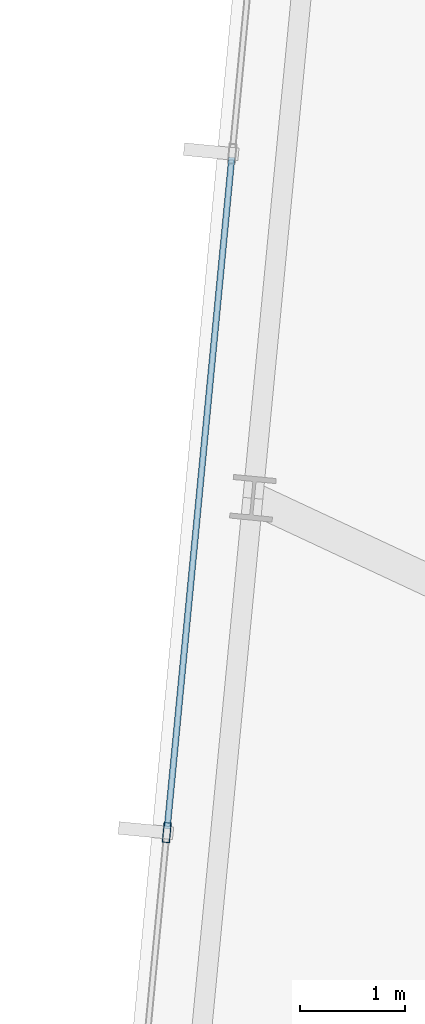
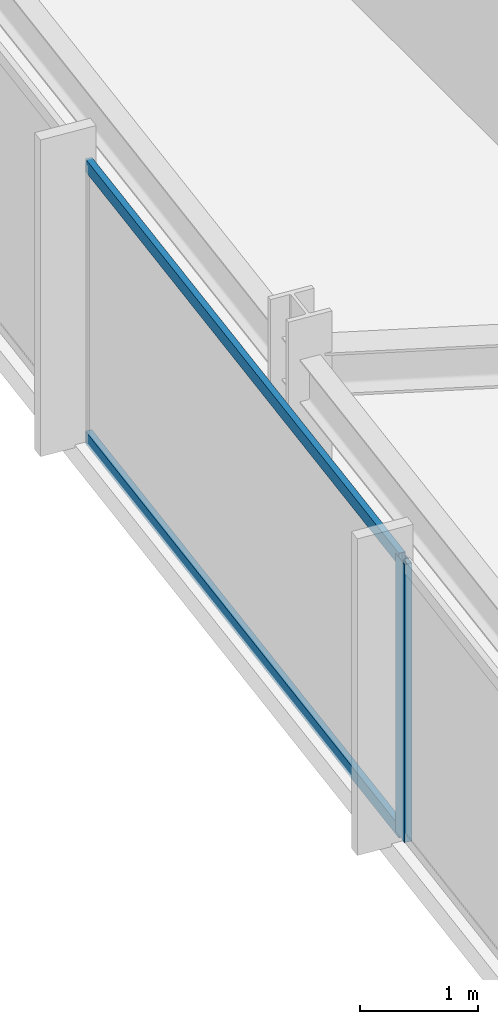
# One storey, part 8 of 37: 3 members, 1 element without a shape of its own.
"""IFC4 building model written with IfcOpenShell, lengths in metres."""

from ifc_helpers import new_model, si_unit, direction, frame, origin, origin_2d, place, context, subcontext, project, spatial, hollow_rectangle, extrude, material, material_profile, profile_set, type_object, element, aggregate, save


model = new_model("IFC4")

# Units and contexts
model_context = context("Model", 3, precision=1e-05, world=origin(), true_north=direction((0.0, 1.0)))
body_context = subcontext(model_context, "Body", "Model", "MODEL_VIEW")
ifc_project = project(units=[si_unit("LENGTHUNIT", "METRE"), si_unit("AREAUNIT", "SQUARE_METRE"), si_unit("VOLUMEUNIT", "CUBIC_METRE"), si_unit("PLANEANGLEUNIT", "RADIAN"), si_unit("MASSUNIT", "GRAM", prefix="KILO")], contexts=[model_context])

# Site, building, storey
site_placement = place(None, origin())
site = spatial("IfcSite", under=ifc_project, at=site_placement, CompositionType="ELEMENT")
building_placement = place(site_placement, origin())
building = spatial("IfcBuilding", under=site, at=building_placement, Name="Yelkora Congress Tower", CompositionType="ELEMENT")
storey_placement = place(building_placement, frame((0.0, 0.0, 188.60009765625)))
storey = spatial("IfcBuildingStorey", under=building, at=storey_placement, Name="L52", CompositionType="ELEMENT", Elevation=188.60009765625)

# Curtain wall, members
ifc_material_1 = material(Name="Anodised aluminium and insulated glass", Category="aluminium")
curtain_wall_type = type_object("IfcCurtainWallType", Name="CW-SYS-B3", PredefinedType="NOTDEFINED", material=ifc_material_1)
curtain_wall_placement = place(storey_placement, origin())
curtain_wall = element("IfcCurtainWall", 1, at=curtain_wall_placement, inside=storey, type_object=curtain_wall_type, Name="L52 Unitised Curtain Wall 5", PredefinedType="NOTDEFINED")
ifc_material_2 = material(Name="Anodised aluminium 6063-T6", Category="aluminium")
ifc_material_profile_1 = material_profile(ifc_material_2, hollow_rectangle(XDim=0.070068359375, YDim=0.18994140625, WallThickness=0.00390625, at=origin_2d()), Name="ALU 70x190x4")
ifc_profile_set_1 = profile_set([ifc_material_profile_1], Name="Anodised aluminium 6063-T6")
member_type_1 = type_object("IfcMemberType", Name="MEM-ML-B3", PredefinedType="MULLION", material=ifc_profile_set_1)
member_1_placement = place(storey_placement, frame((2.546142578125, 29.416259765625, 0.0), z_axis=(0.0, 0.0, 1.0), x_axis=(-0.995396242473, 0.095845294465, 0.0)))
member_1 = element("IfcMember", 2, at=member_1_placement, type_object=member_type_1, Name="CW-B3 mullion 3", PredefinedType="MULLION", context=body_context, shape_type="SweptSolid", body=[
    extrude(hollow_rectangle(XDim=0.070068359375, YDim=0.18994140625, WallThickness=0.00390625, at=origin_2d()), origin(), (0.0, 0.0, 1.0), 2.8798828125),
])
ifc_material_profile_2 = material_profile(ifc_material_2, hollow_rectangle(XDim=0.06005859375, YDim=0.1298828125, WallThickness=0.00390625, at=origin_2d()), Name="ALU 60x130x4")
ifc_profile_set_2 = profile_set([ifc_material_profile_2], Name="Anodised aluminium 6063-T6")
member_type_2 = type_object("IfcMemberType", Name="MEM-TR-B3", PredefinedType="USERDEFINED", material=ifc_profile_set_2)
member_2_placement = place(storey_placement, frame((2.549560546875, 29.450927734375, 0.02978515625), z_axis=(0.095843682057, 0.995396397728, 0.0), x_axis=(-0.995396397728, 0.095843682057, 0.0)))
member_2 = element("IfcMember", 3, at=member_2_placement, type_object=member_type_2, Name="CW-B3 transom 3.1", ObjectType="TRANSOM", PredefinedType="USERDEFINED", context=body_context, shape_type="SweptSolid", body=[
    extrude(hollow_rectangle(XDim=0.06005859375, YDim=0.1298828125, WallThickness=0.00390625, at=origin_2d()), origin(), (0.0, 0.0, 1.0), 6.4140625),
])
member_3_placement = place(storey_placement, frame((2.549560546875, 29.450927734375, 2.849853515625), z_axis=(0.095843682057, 0.995396397728, 0.0), x_axis=(-0.995396397728, 0.095843682057, 0.0)))
member_3 = element("IfcMember", 4, at=member_3_placement, type_object=member_type_2, Name="CW-B3 transom 3.2", ObjectType="TRANSOM", PredefinedType="USERDEFINED", context=body_context, shape_type="SweptSolid", body=[
    extrude(hollow_rectangle(XDim=0.06005859375, YDim=0.1298828125, WallThickness=0.00390625, at=origin_2d()), origin(), (0.0, 0.0, 1.0), 6.4140625),
])
aggregate(curtain_wall, [member_1, member_2, member_3])

save(model, "model.ifc")
